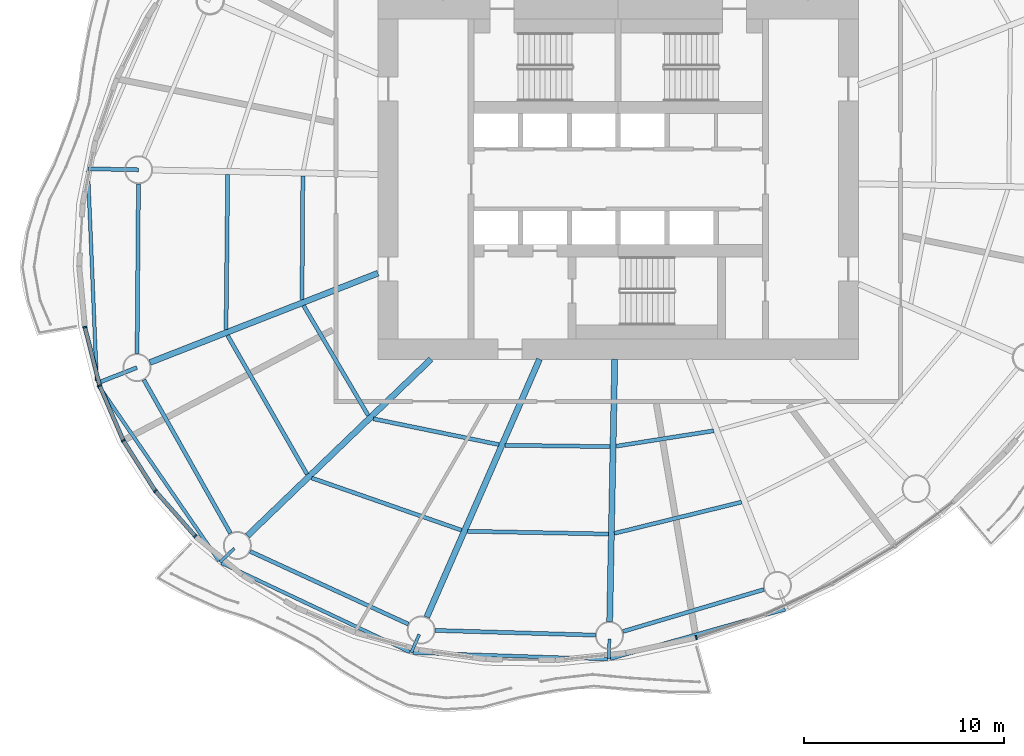
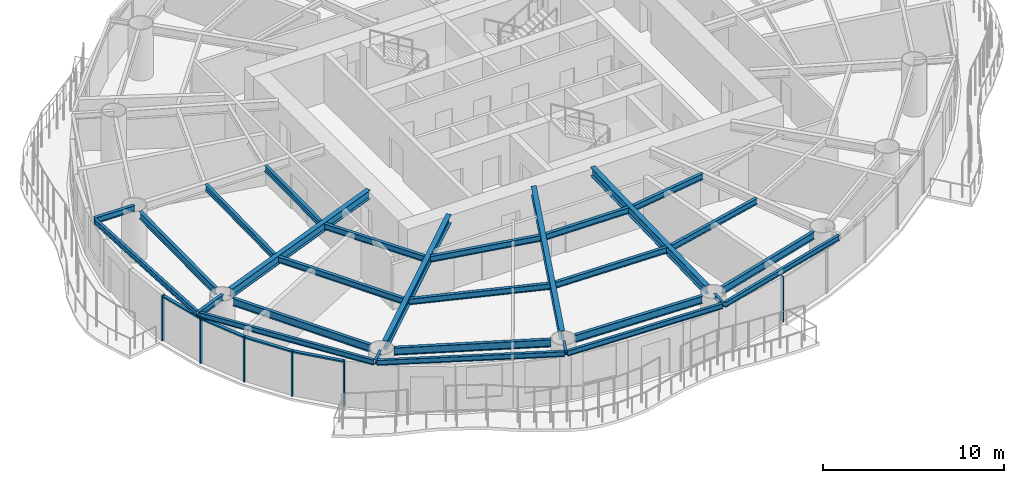
# One storey, part 2 of 16: 29 beams, 10 members, 5 elements without a shape of their own.
"""IFC4 building model written with IfcOpenShell, lengths in metres."""

from ifc_helpers import new_model, si_unit, direction, frame, origin, origin_2d, place, context, subcontext, project, spatial, rectangle, i_section, extrude, material, material_profile, profile_set, type_object, element, aggregate, save


model = new_model("IFC4")

# Units and contexts
model_context = context("Model", 3, precision=1e-05, world=origin(), true_north=direction((0.0, 1.0)))
body_context = subcontext(model_context, "Body", "Model", "MODEL_VIEW")
ifc_project = project(units=[si_unit("LENGTHUNIT", "METRE"), si_unit("AREAUNIT", "SQUARE_METRE"), si_unit("VOLUMEUNIT", "CUBIC_METRE"), si_unit("PLANEANGLEUNIT", "RADIAN"), si_unit("MASSUNIT", "GRAM", prefix="KILO")], contexts=[model_context])

# Site, building, storey
site_placement = place(None, origin())
site = spatial("IfcSite", under=ifc_project, at=site_placement, CompositionType="ELEMENT")
building_placement = place(site_placement, origin())
building = spatial("IfcBuilding", under=site, at=building_placement, Name="Vermilion Reach Broadcast Tower", CompositionType="ELEMENT")
storey_placement = place(building_placement, frame((0.0, 0.0, 147.0)))
storey = spatial("IfcBuildingStorey", under=building, at=storey_placement, Name="L34", CompositionType="ELEMENT", Elevation=147.0)

# Beams
ifc_material_1 = material(Name="Steel S355J2", Category="steel")
ifc_material_profile_1 = material_profile(ifc_material_1, i_section(OverallWidth=0.175048828125, OverallDepth=0.35009765625, WebThickness=0.007080078125, FlangeThickness=0.010986328125, at=origin_2d()), Name="S355J2 HN 350x175x7x11")
ifc_profile_set_1 = profile_set([ifc_material_profile_1], Name="Steel S355J2")
beam_type_1 = type_object("IfcBeamType", Name="EB3 HN 350x175x7x11", PredefinedType="BEAM", material=ifc_profile_set_1)
beam_1_placement = place(storey_placement, frame((-32.48828125, 0.4130859375, 3.27490234375), z_axis=(0.041922129809, -0.999120881091, 0.0), x_axis=(0.999120881091, 0.041922129809, 0.0)))
element("IfcBeam", 1, at=beam_1_placement, inside=storey, type_object=beam_type_1, Name="Edge beam EB3-07", PredefinedType="BEAM", context=body_context, shape_type="SweptSolid", body=[
    extrude(i_section(OverallWidth=0.175048828125, OverallDepth=0.35009765625, WebThickness=0.007080078125, FlangeThickness=0.010986328125, at=origin_2d()), origin(), (0.0, 0.0, 1.0), 10.517578125),
])
beam_2_placement = place(storey_placement, frame((-31.984619140625, -10.285400390625, 3.27490234375), z_axis=(0.566623988306, -0.823976489881, 0.0), x_axis=(0.823976489881, 0.566623988306, 0.0)))
element("IfcBeam", 2, at=beam_2_placement, inside=storey, type_object=beam_type_1, Name="Edge beam EB3-08", PredefinedType="BEAM", context=body_context, shape_type="SweptSolid", body=[
    extrude(i_section(OverallWidth=0.175048828125, OverallDepth=0.35009765625, WebThickness=0.007080078125, FlangeThickness=0.010986328125, at=origin_2d()), origin(), (0.0, 0.0, 1.0), 10.669677734375),
])
beam_3_placement = place(storey_placement, frame((-25.8232421875, -19.173828125, 3.27490234375), z_axis=(0.904101249833, -0.427318300626, 0.0), x_axis=(0.427318300626, 0.904101249833, 0.0)))
element("IfcBeam", 3, at=beam_3_placement, inside=storey, type_object=beam_type_1, Name="Edge beam EB3-09", PredefinedType="BEAM", context=body_context, shape_type="SweptSolid", body=[
    extrude(i_section(OverallWidth=0.175048828125, OverallDepth=0.35009765625, WebThickness=0.007080078125, FlangeThickness=0.010986328125, at=origin_2d()), origin(), (0.0, 0.0, 1.0), 10.414306640625),
])
beam_4_placement = place(storey_placement, frame((-16.25927734375, -23.65869140625, 3.27490234375), z_axis=(0.999460730214, -0.03283669836, 0.0), x_axis=(0.03283669836, 0.999460730214, 0.0)))
element("IfcBeam", 4, at=beam_4_placement, inside=storey, type_object=beam_type_1, Name="Edge beam EB3-10", PredefinedType="BEAM", context=body_context, shape_type="SweptSolid", body=[
    extrude(i_section(OverallWidth=0.175048828125, OverallDepth=0.35009765625, WebThickness=0.007080078125, FlangeThickness=0.010986328125, at=origin_2d()), origin(), (0.0, 0.0, 1.0), 9.724853515625),
])
beam_5_placement = place(storey_placement, frame((-6.38916015625, -23.958984375, 3.27490234375), z_axis=(0.962287191638, 0.272035587397, 0.0), x_axis=(-0.272035587397, 0.962287191638, 0.0)))
element("IfcBeam", 5, at=beam_5_placement, inside=storey, type_object=beam_type_1, Name="Edge beam EB3-11", PredefinedType="BEAM", context=body_context, shape_type="SweptSolid", body=[
    extrude(i_section(OverallWidth=0.175048828125, OverallDepth=0.35009765625, WebThickness=0.007080078125, FlangeThickness=0.010986328125, at=origin_2d()), origin(), (0.0, 0.0, 1.0), 9.06884765625),
])
ifc_material_2 = material(Name="Steel S355J2", Category="steel")
ifc_material_profile_2 = material_profile(ifc_material_2, i_section(OverallWidth=0.300048828125, OverallDepth=0.587890625, WebThickness=0.011962890625, FlangeThickness=0.02001953125, at=origin_2d()), Name="S355J2 HM 588x300x12x20")
ifc_profile_set_2 = profile_set([ifc_material_profile_2], Name="Steel S355J2")
beam_type_2 = type_object("IfcBeamType", Name="G3 HM 588x300x12x20", PredefinedType="BEAM", material=ifc_profile_set_2)
beam_6_placement = place(storey_placement, frame((-18.0, -4.700439453125, 3.156005859375), z_axis=(-0.931124635714, -0.364701128004, 0.0), x_axis=(0.364701128004, -0.931124635714, 0.0)))
element("IfcBeam", 6, at=beam_6_placement, inside=storey, type_object=beam_type_2, Name="Girder G3-08", PredefinedType="BEAM", context=body_context, shape_type="SweptSolid", body=[
    extrude(i_section(OverallWidth=0.300048828125, OverallDepth=0.587890625, WebThickness=0.011962890625, FlangeThickness=0.02001953125, at=origin_2d()), origin(), (0.0, 0.0, 1.0), 12.231201171875),
])
beam_7_placement = place(storey_placement, frame((-15.355712890625, -9.0, 3.156005859375), z_axis=(-0.720670374476, -0.693277874559, 0.0), x_axis=(0.693277874559, -0.720670374476, 0.0)))
element("IfcBeam", 7, at=beam_7_placement, inside=storey, type_object=beam_type_2, Name="Girder G3-09", PredefinedType="BEAM", context=body_context, shape_type="SweptSolid", body=[
    extrude(i_section(OverallWidth=0.300048828125, OverallDepth=0.587890625, WebThickness=0.011962890625, FlangeThickness=0.02001953125, at=origin_2d()), origin(), (0.0, 0.0, 1.0), 12.718505859375),
])
beam_8_placement = place(storey_placement, frame((-9.933837890625, -9.0, 3.156005859375), z_axis=(-0.400519113205, -0.916288404356, 0.0), x_axis=(0.916288404356, -0.400519113205, 0.0)))
element("IfcBeam", 8, at=beam_8_placement, inside=storey, type_object=beam_type_2, Name="Girder G3-10", PredefinedType="BEAM", context=body_context, shape_type="SweptSolid", body=[
    extrude(i_section(OverallWidth=0.300048828125, OverallDepth=0.587890625, WebThickness=0.011962890625, FlangeThickness=0.02001953125, at=origin_2d()), origin(), (0.0, 0.0, 1.0), 14.0595703125),
])
beam_9_placement = place(storey_placement, frame((-6.17431640625, -9.0, 3.156005859375), z_axis=(-0.019378372481, -0.99981222171, 0.0), x_axis=(0.99981222171, -0.019378372481, 0.0)))
element("IfcBeam", 9, at=beam_9_placement, inside=storey, type_object=beam_type_2, Name="Girder G3-11", PredefinedType="BEAM", context=body_context, shape_type="SweptSolid", body=[
    extrude(i_section(OverallWidth=0.300048828125, OverallDepth=0.587890625, WebThickness=0.011962890625, FlangeThickness=0.02001953125, at=origin_2d()), origin(), (0.0, 0.0, 1.0), 13.1025390625),
])
ifc_material_3 = material(Name="Steel S355J2", Category="steel")
ifc_material_profile_3 = material_profile(ifc_material_3, i_section(OverallWidth=0.199951171875, OverallDepth=0.39990234375, WebThickness=0.008056640625, FlangeThickness=0.012939453125, at=origin_2d()), Name="S355J2 HN 400x200x8x13")
ifc_profile_set_3 = profile_set([ifc_material_profile_3], Name="Steel S355J2")
beam_type_3 = type_object("IfcBeamType", Name="GC3 HN 400x200x8x13", PredefinedType="BEAM", material=ifc_profile_set_3)
beam_10_placement = place(storey_placement, frame((-29.95947265625, 0.464111328125, 3.25), z_axis=(-0.999810515766, 0.019466190283, 0.0), x_axis=(-0.019466190283, -0.999810515766, 0.0)))
element("IfcBeam", 10, at=beam_10_placement, inside=storey, type_object=beam_type_3, Name="Cantilever girder GC3-07", PredefinedType="BEAM", context=body_context, shape_type="SweptSolid", body=[
    extrude(i_section(OverallWidth=0.199951171875, OverallDepth=0.39990234375, WebThickness=0.008056640625, FlangeThickness=0.012939453125, at=origin_2d()), origin(), (0.0, 0.0, 1.0), 2.533447265625),
])
beam_11_placement = place(storey_placement, frame((-30.04052734375, -9.41650390625, 3.25), z_axis=(-0.931107047128, -0.364746030532, 0.0), x_axis=(0.364746030532, -0.931107047128, 0.0)))
element("IfcBeam", 11, at=beam_11_placement, inside=storey, type_object=beam_type_3, Name="Cantilever girder GC3-08", PredefinedType="BEAM", context=body_context, shape_type="SweptSolid", body=[
    extrude(i_section(OverallWidth=0.199951171875, OverallDepth=0.39990234375, WebThickness=0.008056640625, FlangeThickness=0.012939453125, at=origin_2d()), origin(), (0.0, 0.0, 1.0), 2.150634765625),
])
ifc_material_4 = material(Name="Steel S355J2", Category="steel")
ifc_material_profile_4 = material_profile(ifc_material_4, i_section(OverallWidth=0.14990234375, OverallDepth=0.300048828125, WebThickness=0.006591796875, FlangeThickness=0.009033203125, at=origin_2d()), Name="S355J2 HN 300x150x6.5x9")
ifc_profile_set_4 = profile_set([ifc_material_profile_4], Name="Steel S355J2")
beam_type_4 = type_object("IfcBeamType", Name="GS3 HN 300x150x6.5x9", PredefinedType="BEAM", material=ifc_profile_set_4)
for number, where, z_axis, x_axis, name in (
    (12, (-25.17529296875, -18.4462890625, 3.300048828125), (-0.720645397388, -0.693303837595, 0.0), (0.693303837595, -0.720645397388, 0.0), "Cantilever stub GS3-09"),
    (13, (-15.939453125, -22.73974609375, 3.300048828125), (-0.400626718411, -0.916241361485, 0.0), (0.916241361485, -0.400626718411, 0.0), "Cantilever stub GS3-10"),
):
    element("IfcBeam", number, at=place(storey_placement, frame(where, z_axis=z_axis, x_axis=x_axis)), inside=storey, type_object=beam_type_4, Name=name, PredefinedType="BEAM", context=body_context, shape_type="SweptSolid", body=[
        extrude(i_section(OverallWidth=0.14990234375, OverallDepth=0.300048828125, WebThickness=0.006591796875, FlangeThickness=0.009033203125, at=origin_2d()), origin(), (0.0, 0.0, 1.0), 1.0),
    ])
beam_12_placement = place(storey_placement, frame((-6.4453125, -22.98046875, 3.300048828125), z_axis=(-0.019283523045, -0.999814055582, 0.0), x_axis=(0.999814055582, -0.019283523045, 0.0)))
element("IfcBeam", 14, at=beam_12_placement, inside=storey, type_object=beam_type_4, Name="Cantilever stub GS3-11", PredefinedType="BEAM", context=body_context, shape_type="SweptSolid", body=[
    extrude(i_section(OverallWidth=0.14990234375, OverallDepth=0.300048828125, WebThickness=0.006591796875, FlangeThickness=0.009033203125, at=origin_2d()), origin(), (0.0, 0.0, 1.0), 1.000244140625),
])
ifc_material_5 = material(Name="Steel S355J2", Category="steel")
ifc_material_profile_5 = material_profile(ifc_material_5, i_section(OverallWidth=0.199951171875, OverallDepth=0.5, WebThickness=0.010009765625, FlangeThickness=0.01611328125, at=origin_2d()), Name="S355J2 HN 500x200x10x16")
ifc_profile_set_5 = profile_set([ifc_material_profile_5], Name="Steel S355J2")
beam_type_5 = type_object("IfcBeamType", Name="RB3 HN 500x200x10x16", PredefinedType="BEAM", material=ifc_profile_set_5)
beam_13_placement = place(storey_placement, frame((-29.965087890625, -0.23583984375, 3.199951171875), z_axis=(-0.008204232036, -0.999966344722, 0.0), x_axis=(0.999966344722, -0.008204232036, 0.0)))
element("IfcBeam", 15, at=beam_13_placement, inside=storey, type_object=beam_type_5, Name="Ring beam RB3-07", PredefinedType="BEAM", context=body_context, shape_type="SweptSolid", body=[
    extrude(i_section(OverallWidth=0.199951171875, OverallDepth=0.5, WebThickness=0.010009765625, FlangeThickness=0.01611328125, at=origin_2d()), origin(), (0.0, 0.0, 1.0), 8.48095703125),
])
beam_14_placement = place(storey_placement, frame((-29.696533203125, -10.026123046875, 3.199951171875), z_axis=(0.491466825026, -0.870896296869, 0.0), x_axis=(0.870896296869, 0.491466825026, 0.0)))
element("IfcBeam", 16, at=beam_14_placement, inside=storey, type_object=beam_type_5, Name="Ring beam RB3-08", PredefinedType="BEAM", context=body_context, shape_type="SweptSolid", body=[
    extrude(i_section(OverallWidth=0.199951171875, OverallDepth=0.5, WebThickness=0.010009765625, FlangeThickness=0.01611328125, at=origin_2d()), origin(), (0.0, 0.0, 1.0), 8.803466796875),
])
beam_15_placement = place(storey_placement, frame((-24.389892578125, -18.594970703125, 3.199951171875), z_axis=(0.908546241769, -0.417784306272, 0.0), x_axis=(0.417784306272, 0.908546241769, 0.0)))
element("IfcBeam", 17, at=beam_15_placement, inside=storey, type_object=beam_type_5, Name="Ring beam RB3-09", PredefinedType="BEAM", context=body_context, shape_type="SweptSolid", body=[
    extrude(i_section(OverallWidth=0.199951171875, OverallDepth=0.5, WebThickness=0.010009765625, FlangeThickness=0.01611328125, at=origin_2d()), origin(), (0.0, 0.0, 1.0), 8.704833984375),
])
beam_16_placement = place(storey_placement, frame((-15.1455078125, -22.544677734375, 3.199951171875), z_axis=(0.999569781146, -0.029330063427, 0.0), x_axis=(0.029330063427, 0.999569781146, 0.0)))
element("IfcBeam", 18, at=beam_16_placement, inside=storey, type_object=beam_type_5, Name="Ring beam RB3-10", PredefinedType="BEAM", context=body_context, shape_type="SweptSolid", body=[
    extrude(i_section(OverallWidth=0.199951171875, OverallDepth=0.5, WebThickness=0.010009765625, FlangeThickness=0.01611328125, at=origin_2d()), origin(), (0.0, 0.0, 1.0), 8.007568359375),
])
beam_17_placement = place(storey_placement, frame((-5.770751953125, -22.60009765625, 3.199951171875), z_axis=(0.958416970322, 0.285371531516, 0.0), x_axis=(-0.285371531516, 0.958416970322, 0.0)))
element("IfcBeam", 19, at=beam_17_placement, inside=storey, type_object=beam_type_5, Name="Ring beam RB3-11", PredefinedType="BEAM", context=body_context, shape_type="SweptSolid", body=[
    extrude(i_section(OverallWidth=0.199951171875, OverallDepth=0.5, WebThickness=0.010009765625, FlangeThickness=0.01611328125, at=origin_2d()), origin(), (0.0, 0.0, 1.0), 7.357421875),
])
ifc_material_6 = material(Name="Steel S355J2", Category="steel")
ifc_material_profile_6 = material_profile(ifc_material_6, i_section(OverallWidth=0.199951171875, OverallDepth=0.39990234375, WebThickness=0.008056640625, FlangeThickness=0.012939453125, at=origin_2d()), Name="S355J2 HN 400x200x8x13")
ifc_profile_set_6 = profile_set([ifc_material_profile_6], Name="Steel S355J2")
beam_type_6 = type_object("IfcBeamType", Name="SB3 HN 400x200x8x13", PredefinedType="BEAM", material=ifc_profile_set_6)
beam_18_placement = place(storey_placement, frame((-21.754150390625, 0.1552734375, 3.25), z_axis=(-0.006635449147, -0.999977985165, 0.0), x_axis=(0.999977985165, -0.006635449147, 0.0)))
element("IfcBeam", 20, at=beam_18_placement, inside=storey, type_object=beam_type_6, Name="Secondary beam SB3-07-1", PredefinedType="BEAM", context=body_context, shape_type="SweptSolid", body=[
    extrude(i_section(OverallWidth=0.199951171875, OverallDepth=0.39990234375, WebThickness=0.008056640625, FlangeThickness=0.012939453125, at=origin_2d()), origin(), (0.0, 0.0, 1.0), 6.181396484375),
])
beam_19_placement = place(storey_placement, frame((-25.508056640625, 0.22802734375, 3.25), z_axis=(-0.010691708672, -0.999942842049, 0.0), x_axis=(0.999942842049, -0.010691708672, 0.0)))
element("IfcBeam", 21, at=beam_19_placement, inside=storey, type_object=beam_type_6, Name="Secondary beam SB3-07-2", PredefinedType="BEAM", context=body_context, shape_type="SweptSolid", body=[
    extrude(i_section(OverallWidth=0.199951171875, OverallDepth=0.39990234375, WebThickness=0.008056640625, FlangeThickness=0.012939453125, at=origin_2d()), origin(), (0.0, 0.0, 1.0), 7.740966796875),
])
beam_20_placement = place(storey_placement, frame((-21.71923828125, -6.318115234375, 3.25), z_axis=(0.507249643612, -0.861799163991, 0.0), x_axis=(0.861799163991, 0.507249643612, 0.0)))
element("IfcBeam", 22, at=beam_20_placement, inside=storey, type_object=beam_type_6, Name="Secondary beam SB3-08-1", PredefinedType="BEAM", context=body_context, shape_type="SweptSolid", body=[
    extrude(i_section(OverallWidth=0.199951171875, OverallDepth=0.39990234375, WebThickness=0.008056640625, FlangeThickness=0.012939453125, at=origin_2d()), origin(), (0.0, 0.0, 1.0), 6.3681640625),
])
beam_21_placement = place(storey_placement, frame((-25.51708984375, -7.805908203125, 3.25), z_axis=(0.497026503115, -0.867735360119, 0.0), x_axis=(0.867735360119, 0.497026503115, 0.0)))
element("IfcBeam", 23, at=beam_21_placement, inside=storey, type_object=beam_type_6, Name="Secondary beam SB3-08-2", PredefinedType="BEAM", context=body_context, shape_type="SweptSolid", body=[
    extrude(i_section(OverallWidth=0.199951171875, OverallDepth=0.39990234375, WebThickness=0.008056640625, FlangeThickness=0.012939453125, at=origin_2d()), origin(), (0.0, 0.0, 1.0), 7.995849609375),
])
beam_22_placement = place(storey_placement, frame((-18.232666015625, -11.975830078125, 3.25), z_axis=(0.97956765607, -0.201114910391, 0.0), x_axis=(0.201114910391, 0.97956765607, 0.0)))
element("IfcBeam", 24, at=beam_22_placement, inside=storey, type_object=beam_type_6, Name="Secondary beam SB3-09-1", PredefinedType="BEAM", context=body_context, shape_type="SweptSolid", body=[
    extrude(i_section(OverallWidth=0.199951171875, OverallDepth=0.39990234375, WebThickness=0.008056640625, FlangeThickness=0.012939453125, at=origin_2d()), origin(), (0.0, 0.0, 1.0), 6.40234375),
])
beam_23_placement = place(storey_placement, frame((-21.307373046875, -14.93359375, 3.25), z_axis=(0.94431696779, -0.329037177754, 0.0), x_axis=(0.329037177754, 0.94431696779, 0.0)))
element("IfcBeam", 25, at=beam_23_placement, inside=storey, type_object=beam_type_6, Name="Secondary beam SB3-09-2", PredefinedType="BEAM", context=body_context, shape_type="SweptSolid", body=[
    extrude(i_section(OverallWidth=0.199951171875, OverallDepth=0.39990234375, WebThickness=0.008056640625, FlangeThickness=0.012939453125, at=origin_2d()), origin(), (0.0, 0.0, 1.0), 7.91845703125),
])
beam_24_placement = place(storey_placement, frame((-11.648193359375, -13.29638671875, 3.25), z_axis=(0.999914891843, -0.013046419838, 0.0), x_axis=(0.013046419838, 0.999914891843, 0.0)))
element("IfcBeam", 26, at=beam_24_placement, inside=storey, type_object=beam_type_6, Name="Secondary beam SB3-10-1", PredefinedType="BEAM", context=body_context, shape_type="SweptSolid", body=[
    extrude(i_section(OverallWidth=0.199951171875, OverallDepth=0.39990234375, WebThickness=0.008056640625, FlangeThickness=0.012939453125, at=origin_2d()), origin(), (0.0, 0.0, 1.0), 5.23974609375),
])
beam_25_placement = place(storey_placement, frame((-13.525634765625, -17.591552734375, 3.25), z_axis=(0.999804929321, -0.019751033045, 0.0), x_axis=(0.019751033045, 0.999804929321, 0.0)))
element("IfcBeam", 27, at=beam_25_placement, inside=storey, type_object=beam_type_6, Name="Secondary beam SB3-10-2", PredefinedType="BEAM", context=body_context, shape_type="SweptSolid", body=[
    extrude(i_section(OverallWidth=0.199951171875, OverallDepth=0.39990234375, WebThickness=0.008056640625, FlangeThickness=0.012939453125, at=origin_2d()), origin(), (0.0, 0.0, 1.0), 7.033447265625),
])
beam_26_placement = place(storey_placement, frame((-6.1083984375, -13.343017578125, 3.25), z_axis=(0.987756142208, 0.15600578044, 0.0), x_axis=(-0.15600578044, 0.987756142208, 0.0)))
element("IfcBeam", 28, at=beam_26_placement, inside=storey, type_object=beam_type_6, Name="Secondary beam SB3-11-1", PredefinedType="BEAM", context=body_context, shape_type="SweptSolid", body=[
    extrude(i_section(OverallWidth=0.199951171875, OverallDepth=0.39990234375, WebThickness=0.008056640625, FlangeThickness=0.012939453125, at=origin_2d()), origin(), (0.0, 0.0, 1.0), 4.9326171875),
])
beam_27_placement = place(storey_placement, frame((-6.19287109375, -17.6962890625, 3.25), z_axis=(0.971111691931, 0.238625400566, 0.0), x_axis=(-0.238625400566, 0.971111691931, 0.0)))
element("IfcBeam", 29, at=beam_27_placement, inside=storey, type_object=beam_type_6, Name="Secondary beam SB3-11-2", PredefinedType="BEAM", context=body_context, shape_type="SweptSolid", body=[
    extrude(i_section(OverallWidth=0.199951171875, OverallDepth=0.39990234375, WebThickness=0.008056640625, FlangeThickness=0.012939453125, at=origin_2d()), origin(), (0.0, 0.0, 1.0), 6.540771484375),
])

# Curtain wall, member
ifc_material_7 = material(Name="Low-e laminated clear glass in aluminium frame", Category="aluminium")
curtain_wall_type = type_object("IfcCurtainWallType", Name="Slot curtain wall", PredefinedType="NOTDEFINED", material=ifc_material_7)
placement = place(storey_placement, origin())
curtain_wall_1 = element("IfcCurtainWall", 30, at=placement, inside=storey, type_object=curtain_wall_type, Name="Slot curtain wall L34 22", PredefinedType="NOTDEFINED")
ifc_material_8 = material(Name="Anodised aluminium", Category="aluminium")
ifc_material_profile_7 = material_profile(ifc_material_8, rectangle(XDim=0.199951171875, YDim=0.080078125, at=origin_2d()), Name="Slot mullion 80 x 200")
ifc_profile_set_7 = profile_set([ifc_material_profile_7], Name="Anodised aluminium")
member_type_1 = type_object("IfcMemberType", Name="Slot mullion 80 x 200", PredefinedType="MULLION", material=ifc_profile_set_7)
member_1_placement = place(storey_placement, frame((-32.640869140625, -7.397216796875, 0.0), z_axis=(0.0, 0.0, 1.0), x_axis=(0.985507052003, 0.169634461276, 0.0)))
member_1 = element("IfcMember", 31, at=member_1_placement, type_object=member_type_1, Name="Slot mullion L34 22", PredefinedType="MULLION", context=body_context, shape_type="SweptSolid", body=[
    extrude(rectangle(XDim=0.199951171875, YDim=0.080078125, at=origin_2d()), origin(), (0.0, 0.0, 1.0), 3.050048828125),
])

curtain_wall_2 = element("IfcCurtainWall", 32, at=placement, inside=storey, type_object=curtain_wall_type, Name="Slot curtain wall L34 23", PredefinedType="NOTDEFINED")
member_2_placement = place(storey_placement, frame((-31.90283203125, -10.315673828125, 0.0), z_axis=(0.0, 0.0, 1.0), x_axis=(0.947035981058, 0.321127467809, 0.0)))
member_2 = element("IfcMember", 33, at=member_2_placement, type_object=member_type_1, Name="Slot mullion L34 23", PredefinedType="MULLION", context=body_context, shape_type="SweptSolid", body=[
    extrude(rectangle(XDim=0.199951171875, YDim=0.080078125, at=origin_2d()), origin(), (0.0, 0.0, 1.0), 3.050048828125),
])

curtain_wall_3 = element("IfcCurtainWall", 34, at=placement, inside=storey, type_object=curtain_wall_type, Name="Slot curtain wall L34 24", PredefinedType="NOTDEFINED")
member_3_placement = place(storey_placement, frame((-30.723876953125, -13.057373046875, 0.0), z_axis=(0.0, 0.0, 1.0), x_axis=(0.884255178267, 0.467004046779, 0.0)))
member_3 = element("IfcMember", 35, at=member_3_placement, type_object=member_type_1, Name="Slot mullion L34 24", PredefinedType="MULLION", context=body_context, shape_type="SweptSolid", body=[
    extrude(rectangle(XDim=0.199951171875, YDim=0.080078125, at=origin_2d()), origin(), (0.0, 0.0, 1.0), 3.050048828125),
])

# Curtain wall, members
curtain_wall_4 = element("IfcCurtainWall", 36, at=placement, inside=storey, type_object=curtain_wall_type, Name="Slot curtain wall L34 25", PredefinedType="NOTDEFINED")
member_4_placement = place(storey_placement, frame((-29.1240234375, -15.576904296875, 0.0), z_axis=(0.0, 0.0, 1.0), x_axis=(0.799172131679, 0.601102240844, 0.0)))
member_4 = element("IfcMember", 37, at=member_4_placement, type_object=member_type_1, Name="Slot mullion L34 25", PredefinedType="MULLION", context=body_context, shape_type="SweptSolid", body=[
    extrude(rectangle(XDim=0.199951171875, YDim=0.080078125, at=origin_2d()), origin(), (0.0, 0.0, 1.0), 3.050048828125),
])
member_5_placement = place(storey_placement, frame((-27.1298828125, -17.83203125, 0.0), z_axis=(0.0, 0.0, 1.0), x_axis=(0.695744297152, 0.718289546757, 0.0)))
member_5 = element("IfcMember", 38, at=member_5_placement, type_object=member_type_1, Name="Slot mullion L34 26", PredefinedType="MULLION", context=body_context, shape_type="SweptSolid", body=[
    extrude(rectangle(XDim=0.199951171875, YDim=0.080078125, at=origin_2d()), origin(), (0.0, 0.0, 1.0), 3.050048828125),
])

# Curtain wall, member
curtain_wall_5 = element("IfcCurtainWall", 39, at=placement, inside=storey, type_object=curtain_wall_type, Name="Slot curtain wall L34 34", PredefinedType="NOTDEFINED")
member_6_placement = place(storey_placement, frame((-2.1015625, -22.906005859375, 0.0), z_axis=(0.0, 0.0, 1.0), x_axis=(-0.266212418175, 0.963914388527, 0.0)))
member_6 = element("IfcMember", 40, at=member_6_placement, type_object=member_type_1, Name="Slot mullion L34 34", PredefinedType="MULLION", context=body_context, shape_type="SweptSolid", body=[
    extrude(rectangle(XDim=0.199951171875, YDim=0.080078125, at=origin_2d()), origin(), (0.0, 0.0, 1.0), 3.050048828125),
])
aggregate(curtain_wall_5, [member_6])

# Member
ifc_material_9 = material(Name="Anodised aluminium", Category="aluminium")
ifc_material_profile_8 = material_profile(ifc_material_9, rectangle(XDim=0.199951171875, YDim=0.10009765625, at=origin_2d()), Name="Slot transom 200 x 100")
ifc_profile_set_8 = profile_set([ifc_material_profile_8], Name="Anodised aluminium")
member_type_2 = type_object("IfcMemberType", Name="Slot transom 200 x 100", PredefinedType="USERDEFINED", material=ifc_profile_set_8)
member_7_placement = place(storey_placement, frame((-32.631103515625, -7.43603515625, 3.0), z_axis=(0.245200841308, -0.969472303587, 0.0), x_axis=(0.969472303587, 0.245200841308, 0.0)))
member_7 = element("IfcMember", 41, at=member_7_placement, type_object=member_type_2, Name="Slot transom L34 22.1", ObjectType="TRANSOM", PredefinedType="USERDEFINED", context=body_context, shape_type="SweptSolid", body=[
    extrude(rectangle(XDim=0.199951171875, YDim=0.10009765625, at=origin_2d()), origin(), (0.0, 0.0, 1.0), 2.93017578125),
])

aggregate(curtain_wall_1, [member_1, member_7])

member_8_placement = place(storey_placement, frame((-31.886962890625, -10.352294921875, 3.0), z_axis=(0.39503484407, -0.918666137381, 0.0), x_axis=(0.918666137381, 0.39503484407, 0.0)))
member_8 = element("IfcMember", 42, at=member_8_placement, type_object=member_type_2, Name="Slot transom L34 23.1", ObjectType="TRANSOM", PredefinedType="USERDEFINED", context=body_context, shape_type="SweptSolid", body=[
    extrude(rectangle(XDim=0.199951171875, YDim=0.10009765625, at=origin_2d()), origin(), (0.0, 0.0, 1.0), 2.90478515625),
])

aggregate(curtain_wall_2, [member_2, member_8])

member_9_placement = place(storey_placement, frame((-30.702392578125, -13.09130859375, 3.0), z_axis=(0.536037614736, -0.84419409829, 0.0), x_axis=(0.84419409829, 0.536037614736, 0.0)))
member_9 = element("IfcMember", 43, at=member_9_placement, type_object=member_type_2, Name="Slot transom L34 24.1", ObjectType="TRANSOM", PredefinedType="USERDEFINED", context=body_context, shape_type="SweptSolid", body=[
    extrude(rectangle(XDim=0.199951171875, YDim=0.10009765625, at=origin_2d()), origin(), (0.0, 0.0, 1.0), 2.904541015625),
])

aggregate(curtain_wall_3, [member_3, member_9])

member_10_placement = place(storey_placement, frame((-29.097412109375, -15.60693359375, 3.0), z_axis=(0.662365323543, -0.749181004943, 0.0), x_axis=(0.749181004943, 0.662365323543, 0.0)))
member_10 = element("IfcMember", 44, at=member_10_placement, type_object=member_type_2, Name="Slot transom L34 25.1", ObjectType="TRANSOM", PredefinedType="USERDEFINED", context=body_context, shape_type="SweptSolid", body=[
    extrude(rectangle(XDim=0.199951171875, YDim=0.10009765625, at=origin_2d()), origin(), (0.0, 0.0, 1.0), 2.93017578125),
])

aggregate(curtain_wall_4, [member_4, member_5, member_10])

save(model, "model.ifc")
